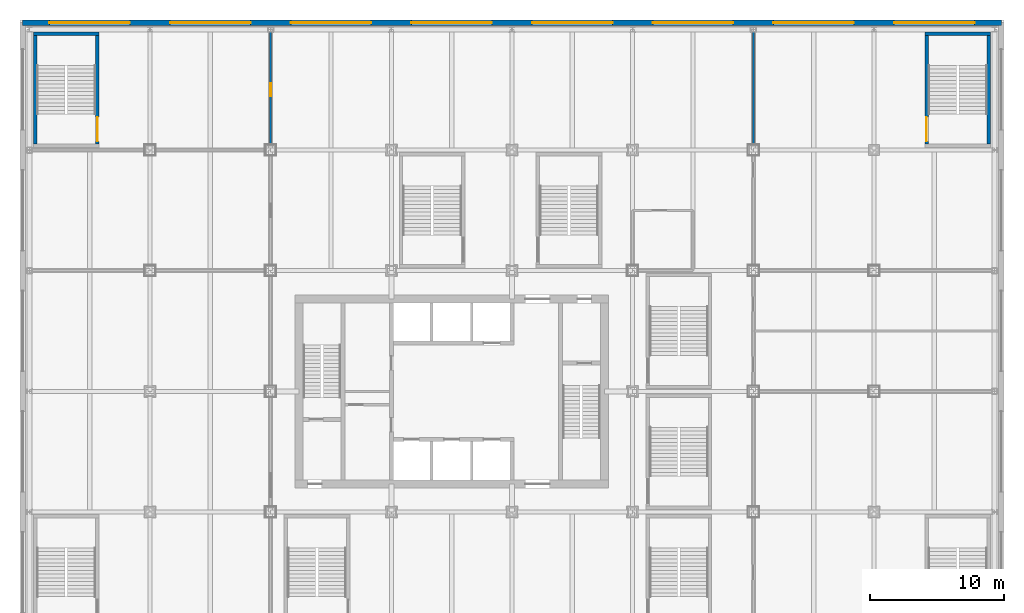
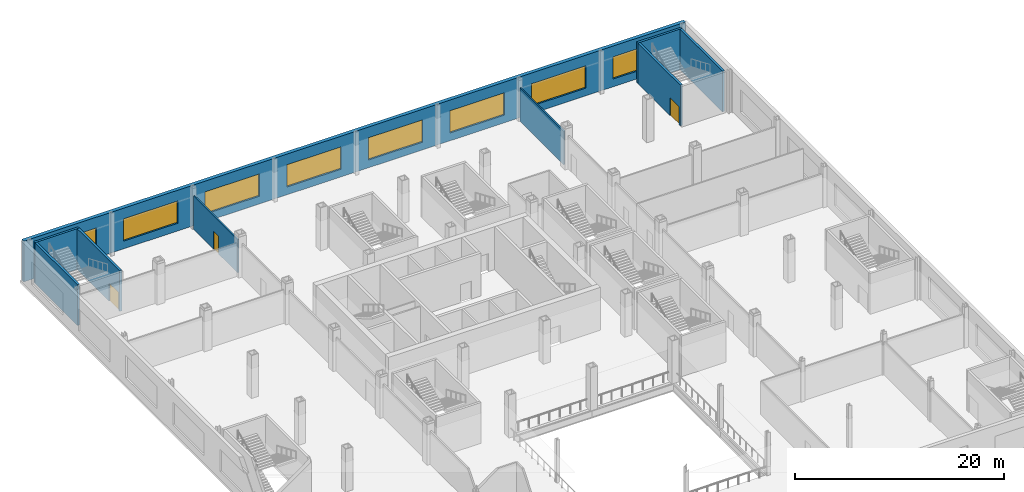
# One storey, part 15 of 31: 9 walls, 8 windows, 3 doors, 11 openings.
"""IFC4 building model written with IfcOpenShell, lengths in metres."""

from ifc_helpers import new_model, si_unit, direction, frame, frame_2d, origin, place, context, subcontext, project, spatial, rectangle, extrude, material, layer, layer_set, type_object, element, fill, save


model = new_model("IFC4")

# Units and contexts
model_context = context("Model", 3, precision=1e-05, world=origin(), true_north=direction((0.0, 1.0)))
body_context = subcontext(model_context, "Body", "Model", "MODEL_VIEW")
ifc_project = project(units=[si_unit("LENGTHUNIT", "METRE"), si_unit("AREAUNIT", "SQUARE_METRE"), si_unit("VOLUMEUNIT", "CUBIC_METRE"), si_unit("PLANEANGLEUNIT", "RADIAN"), si_unit("MASSUNIT", "GRAM", prefix="KILO")], contexts=[model_context])

# Site, building, storey
site_placement = place(None, origin())
site = spatial("IfcSite", under=ifc_project, at=site_placement, CompositionType="ELEMENT")
building_placement = place(site_placement, origin())
building = spatial("IfcBuilding", under=site, at=building_placement, Name="Loomwork Tower", CompositionType="ELEMENT")
storey_placement = place(building_placement, frame((0.0, 0.0, 11.0)))
storey = spatial("IfcBuildingStorey", under=building, at=storey_placement, Name="L02", CompositionType="ELEMENT", Elevation=11.0)

# Wall, opening, door
ifc_material_1 = material(Name="Gypsum board on steel studs, one-hour", Category="steel")
ifc_layer_1 = layer(ifc_material_1, 0.14990234375)
ifc_layer_set_1 = layer_set([ifc_layer_1], Name="Partition 150")
wall_type_1 = type_object("IfcWallType", Name="Partition 150", PredefinedType="PARTITIONING", material=ifc_layer_set_1)
wall_1_placement = place(storey_placement, frame((9.0, 44.81201171875, 0.0), z_axis=(0.0, 0.0, 1.0), x_axis=(0.0, -1.0, 0.0)))
wall_1 = element("IfcWall", 1, at=wall_1_placement, inside=storey, type_object=wall_type_1, Name="Partition L02 8.1", PredefinedType="PARTITIONING", context=body_context, shape_type="SweptSolid", body=[
    extrude(rectangle(XDim=8.412109375, YDim=0.14990234375, at=frame_2d((4.2060546875, 0.0))), origin(), (0.0, 0.0, 1.0), 3.8916015625),
])
opening_1_placement = place(wall_1_placement, frame((3.81201171875, 0.0, 0.0)))
opening_1 = element("IfcOpeningElement", 2, at=opening_1_placement, cuts=wall_1, Name="Opening D15", PredefinedType="OPENING", context=body_context, shape_type="SweptSolid", body=[
    extrude(rectangle(XDim=1.0, YDim=2.10009765625, at=frame_2d((0.5, 1.050048828125))), frame((0.0, 0.0849609375, 0.0), z_axis=(0.0, -1.0, 0.0), x_axis=(1.0, 0.0, 0.0)), (0.0, 0.0, 1.0), 0.169921875),
])
ifc_material_2 = material(Name="Hollow metal door and frame")
door_type_1 = type_object("IfcDoorType", Name="Fire-rated room door 1000", OperationType="SINGLE_SWING_LEFT", PredefinedType="DOOR", material=ifc_material_2)
door_1_placement = place(opening_1_placement, frame((1.0, 0.0, 0.0), z_axis=(0.0, 0.0, 1.0), x_axis=(-1.0, 0.0, 0.0)))
door_1 = element("IfcDoor", 3, at=door_1_placement, inside=storey, type_object=door_type_1, Name="Conference store door", OperationType="SINGLE_SWING_LEFT", OverallHeight=2.10009765625, OverallWidth=1.0, PredefinedType="DOOR", context=body_context, shape_type="SweptSolid", body=[
    extrude(rectangle(XDim=1.0, YDim=2.10009765625, at=frame_2d((0.5, 1.050048828125))), frame((0.0, 0.02490234375, 0.0), z_axis=(0.0, -1.0, 0.0), x_axis=(1.0, 0.0, 0.0)), (0.0, 0.0, 1.0), 0.050048828125),
])
fill(opening_1, door_1)

# Wall
wall_2_placement = place(storey_placement, frame((45.0, 36.39990234375, 0.0), z_axis=(0.0, 0.0, 1.0), x_axis=(0.0, 1.0, 0.0)))
element("IfcWall", 4, at=wall_2_placement, inside=storey, type_object=wall_type_1, Name="Partition L02 23.2", PredefinedType="PARTITIONING", context=body_context, shape_type="SweptSolid", body=[
    extrude(rectangle(XDim=8.412109375, YDim=0.14990234375, at=frame_2d((4.2060546875, 0.0))), origin(), (0.0, 0.0, 1.0), 3.8916015625),
])

# Wall, openings, windows
ifc_material_3 = material(Name="Limestone on concrete masonry", Category="masonry")
ifc_layer_2 = layer(ifc_material_3, 0.39990234375)
ifc_layer_set_2 = layer_set([ifc_layer_2], Name="Podium limestone wall 400")
wall_type_2 = type_object("IfcWallType", Name="Podium limestone wall 400", PredefinedType="SOLIDWALL", material=ifc_layer_set_2)
wall_3_placement = place(storey_placement, frame((63.5, 45.5, 0.0), z_axis=(0.0, 0.0, 1.0), x_axis=(-1.0, 0.0, 0.0)))
wall_3 = element("IfcWall", 5, at=wall_3_placement, inside=storey, type_object=wall_type_2, Name="Podium stone wall N", PredefinedType="SOLIDWALL", context=body_context, shape_type="SweptSolid", body=[
    extrude(rectangle(XDim=73.0, YDim=0.39990234375, at=frame_2d((36.5, 0.0))), origin(), (0.0, 0.0, 1.0), 4.75),
])
opening_2_placement = place(wall_3_placement, frame((2.0, 0.0, 0.89990234375)))
opening_2 = element("IfcOpeningElement", 6, at=opening_2_placement, cuts=wall_3, Name="Opening CH3", PredefinedType="OPENING", context=body_context, shape_type="SweptSolid", body=[
    extrude(rectangle(XDim=6.0, YDim=2.60009765625, at=frame_2d((3.0, 1.300048828125))), frame((0.0, 0.2099609375, 0.0), z_axis=(0.0, -1.0, 0.0), x_axis=(1.0, 0.0, 0.0)), (0.0, 0.0, 1.0), 0.419921875),
])
opening_3_placement = place(wall_3_placement, frame((11.0, 0.0, 0.89990234375)))
opening_3 = element("IfcOpeningElement", 7, at=opening_3_placement, cuts=wall_3, Name="Opening CH3", PredefinedType="OPENING", context=body_context, shape_type="SweptSolid", body=[
    extrude(rectangle(XDim=6.0, YDim=2.60009765625, at=frame_2d((3.0, 1.300048828125))), frame((0.0, 0.2099609375, 0.0), z_axis=(0.0, -1.0, 0.0), x_axis=(1.0, 0.0, 0.0)), (0.0, 0.0, 1.0), 0.419921875),
])
opening_4_placement = place(wall_3_placement, frame((20.0, 0.0, 0.89990234375)))
opening_4 = element("IfcOpeningElement", 8, at=opening_4_placement, cuts=wall_3, Name="Opening CH3", PredefinedType="OPENING", context=body_context, shape_type="SweptSolid", body=[
    extrude(rectangle(XDim=6.0, YDim=2.60009765625, at=frame_2d((3.0, 1.300048828125))), frame((0.0, 0.2099609375, 0.0), z_axis=(0.0, -1.0, 0.0), x_axis=(1.0, 0.0, 0.0)), (0.0, 0.0, 1.0), 0.419921875),
])
opening_5_placement = place(wall_3_placement, frame((29.0, 0.0, 0.89990234375)))
opening_5 = element("IfcOpeningElement", 9, at=opening_5_placement, cuts=wall_3, Name="Opening CH3", PredefinedType="OPENING", context=body_context, shape_type="SweptSolid", body=[
    extrude(rectangle(XDim=6.0, YDim=2.60009765625, at=frame_2d((3.0, 1.300048828125))), frame((0.0, 0.2099609375, 0.0), z_axis=(0.0, -1.0, 0.0), x_axis=(1.0, 0.0, 0.0)), (0.0, 0.0, 1.0), 0.419921875),
])
opening_6_placement = place(wall_3_placement, frame((38.0, 0.0, 0.89990234375)))
opening_6 = element("IfcOpeningElement", 10, at=opening_6_placement, cuts=wall_3, Name="Opening CH3", PredefinedType="OPENING", context=body_context, shape_type="SweptSolid", body=[
    extrude(rectangle(XDim=6.0, YDim=2.60009765625, at=frame_2d((3.0, 1.300048828125))), frame((0.0, 0.2099609375, 0.0), z_axis=(0.0, -1.0, 0.0), x_axis=(1.0, 0.0, 0.0)), (0.0, 0.0, 1.0), 0.419921875),
])
opening_7_placement = place(wall_3_placement, frame((47.0, 0.0, 0.89990234375)))
opening_7 = element("IfcOpeningElement", 11, at=opening_7_placement, cuts=wall_3, Name="Opening CH3", PredefinedType="OPENING", context=body_context, shape_type="SweptSolid", body=[
    extrude(rectangle(XDim=6.0, YDim=2.60009765625, at=frame_2d((3.0, 1.300048828125))), frame((0.0, 0.2099609375, 0.0), z_axis=(0.0, -1.0, 0.0), x_axis=(1.0, 0.0, 0.0)), (0.0, 0.0, 1.0), 0.419921875),
])
opening_8_placement = place(wall_3_placement, frame((56.0, 0.0, 0.89990234375)))
opening_8 = element("IfcOpeningElement", 12, at=opening_8_placement, cuts=wall_3, Name="Opening CH3", PredefinedType="OPENING", context=body_context, shape_type="SweptSolid", body=[
    extrude(rectangle(XDim=6.0, YDim=2.60009765625, at=frame_2d((3.0, 1.300048828125))), frame((0.0, 0.2099609375, 0.0), z_axis=(0.0, -1.0, 0.0), x_axis=(1.0, 0.0, 0.0)), (0.0, 0.0, 1.0), 0.419921875),
])
opening_9_placement = place(wall_3_placement, frame((65.0, 0.0, 0.89990234375)))
opening_9 = element("IfcOpeningElement", 13, at=opening_9_placement, cuts=wall_3, Name="Opening CH3", PredefinedType="OPENING", context=body_context, shape_type="SweptSolid", body=[
    extrude(rectangle(XDim=6.0, YDim=2.60009765625, at=frame_2d((3.0, 1.300048828125))), frame((0.0, 0.2099609375, 0.0), z_axis=(0.0, -1.0, 0.0), x_axis=(1.0, 0.0, 0.0)), (0.0, 0.0, 1.0), 0.419921875),
])
ifc_material_4 = material(Name="Aluminium frame with clear insulated glass", Category="aluminium")
window_type = type_object("IfcWindowType", Name="Podium Chicago window 6000", PartitioningType="TRIPLE_PANEL_VERTICAL", PredefinedType="WINDOW", material=ifc_material_4)
window_1_placement = place(opening_2_placement, origin())
window_1 = element("IfcWindow", 14, at=window_1_placement, inside=storey, type_object=window_type, Name="Podium window N bay 1", OverallHeight=2.60009765625, OverallWidth=6.0, PartitioningType="TRIPLE_PANEL_VERTICAL", PredefinedType="WINDOW", context=body_context, shape_type="SweptSolid", body=[
    extrude(rectangle(XDim=6.0, YDim=2.60009765625, at=frame_2d((3.0, 1.300048828125))), frame((0.0, 0.030029296875, 0.0), z_axis=(0.0, -1.0, 0.0), x_axis=(1.0, 0.0, 0.0)), (0.0, 0.0, 1.0), 0.06005859375),
])
fill(opening_2, window_1)
window_2_placement = place(opening_3_placement, origin())
window_2 = element("IfcWindow", 15, at=window_2_placement, inside=storey, type_object=window_type, Name="Podium window N bay 2", OverallHeight=2.60009765625, OverallWidth=6.0, PartitioningType="TRIPLE_PANEL_VERTICAL", PredefinedType="WINDOW", context=body_context, shape_type="SweptSolid", body=[
    extrude(rectangle(XDim=6.0, YDim=2.60009765625, at=frame_2d((3.0, 1.300048828125))), frame((0.0, 0.030029296875, 0.0), z_axis=(0.0, -1.0, 0.0), x_axis=(1.0, 0.0, 0.0)), (0.0, 0.0, 1.0), 0.06005859375),
])
fill(opening_3, window_2)
window_3_placement = place(opening_4_placement, origin())
window_3 = element("IfcWindow", 16, at=window_3_placement, inside=storey, type_object=window_type, Name="Podium window N bay 3", OverallHeight=2.60009765625, OverallWidth=6.0, PartitioningType="TRIPLE_PANEL_VERTICAL", PredefinedType="WINDOW", context=body_context, shape_type="SweptSolid", body=[
    extrude(rectangle(XDim=6.0, YDim=2.60009765625, at=frame_2d((3.0, 1.300048828125))), frame((0.0, 0.030029296875, 0.0), z_axis=(0.0, -1.0, 0.0), x_axis=(1.0, 0.0, 0.0)), (0.0, 0.0, 1.0), 0.06005859375),
])
fill(opening_4, window_3)
window_4_placement = place(opening_5_placement, origin())
window_4 = element("IfcWindow", 17, at=window_4_placement, inside=storey, type_object=window_type, Name="Podium window N bay 4", OverallHeight=2.60009765625, OverallWidth=6.0, PartitioningType="TRIPLE_PANEL_VERTICAL", PredefinedType="WINDOW", context=body_context, shape_type="SweptSolid", body=[
    extrude(rectangle(XDim=6.0, YDim=2.60009765625, at=frame_2d((3.0, 1.300048828125))), frame((0.0, 0.030029296875, 0.0), z_axis=(0.0, -1.0, 0.0), x_axis=(1.0, 0.0, 0.0)), (0.0, 0.0, 1.0), 0.06005859375),
])
fill(opening_5, window_4)
window_5_placement = place(opening_6_placement, origin())
window_5 = element("IfcWindow", 18, at=window_5_placement, inside=storey, type_object=window_type, Name="Podium window N bay 5", OverallHeight=2.60009765625, OverallWidth=6.0, PartitioningType="TRIPLE_PANEL_VERTICAL", PredefinedType="WINDOW", context=body_context, shape_type="SweptSolid", body=[
    extrude(rectangle(XDim=6.0, YDim=2.60009765625, at=frame_2d((3.0, 1.300048828125))), frame((0.0, 0.030029296875, 0.0), z_axis=(0.0, -1.0, 0.0), x_axis=(1.0, 0.0, 0.0)), (0.0, 0.0, 1.0), 0.06005859375),
])
fill(opening_6, window_5)
window_6_placement = place(opening_7_placement, origin())
window_6 = element("IfcWindow", 19, at=window_6_placement, inside=storey, type_object=window_type, Name="Podium window N bay 6", OverallHeight=2.60009765625, OverallWidth=6.0, PartitioningType="TRIPLE_PANEL_VERTICAL", PredefinedType="WINDOW", context=body_context, shape_type="SweptSolid", body=[
    extrude(rectangle(XDim=6.0, YDim=2.60009765625, at=frame_2d((3.0, 1.300048828125))), frame((0.0, 0.030029296875, 0.0), z_axis=(0.0, -1.0, 0.0), x_axis=(1.0, 0.0, 0.0)), (0.0, 0.0, 1.0), 0.06005859375),
])
fill(opening_7, window_6)
window_7_placement = place(opening_8_placement, origin())
window_7 = element("IfcWindow", 20, at=window_7_placement, inside=storey, type_object=window_type, Name="Podium window N bay 7", OverallHeight=2.60009765625, OverallWidth=6.0, PartitioningType="TRIPLE_PANEL_VERTICAL", PredefinedType="WINDOW", context=body_context, shape_type="SweptSolid", body=[
    extrude(rectangle(XDim=6.0, YDim=2.60009765625, at=frame_2d((3.0, 1.300048828125))), frame((0.0, 0.030029296875, 0.0), z_axis=(0.0, -1.0, 0.0), x_axis=(1.0, 0.0, 0.0)), (0.0, 0.0, 1.0), 0.06005859375),
])
fill(opening_8, window_7)
window_8_placement = place(opening_9_placement, origin())
window_8 = element("IfcWindow", 21, at=window_8_placement, inside=storey, type_object=window_type, Name="Podium window N bay 8", OverallHeight=2.60009765625, OverallWidth=6.0, PartitioningType="TRIPLE_PANEL_VERTICAL", PredefinedType="WINDOW", context=body_context, shape_type="SweptSolid", body=[
    extrude(rectangle(XDim=6.0, YDim=2.60009765625, at=frame_2d((3.0, 1.300048828125))), frame((0.0, 0.030029296875, 0.0), z_axis=(0.0, -1.0, 0.0), x_axis=(1.0, 0.0, 0.0)), (0.0, 0.0, 1.0), 0.06005859375),
])
fill(opening_9, window_8)

# Walls
ifc_material_5 = material(Name="Concrete masonry, two-hour", Category="masonry")
ifc_layer_3 = layer(ifc_material_5, 0.25)
ifc_layer_set_3 = layer_set([ifc_layer_3], Name="Stair enclosure wall 250")
wall_type_3 = type_object("IfcWallType", Name="Stair enclosure wall 250", PredefinedType="SOLIDWALL", material=ifc_layer_set_3)
wall_4_placement = place(storey_placement, frame((-8.699951171875, 44.675048828125, 0.0), z_axis=(0.0, 0.0, 1.0), x_axis=(1.0, 0.0, 0.0)))
element("IfcWall", 22, at=wall_4_placement, inside=storey, type_object=wall_type_3, Name="Stair PS3 enclosure wall N L02", PredefinedType="SOLIDWALL", context=body_context, shape_type="SweptSolid", body=[
    extrude(rectangle(XDim=4.89990234375, YDim=0.25, at=frame_2d((2.449951171875, 0.0))), origin(), (0.0, 0.0, 1.0), 4.75),
])
wall_5_placement = place(storey_placement, frame((-8.574951171875, 36.449951171875, 0.0), z_axis=(0.0, 0.0, 1.0), x_axis=(0.0, 1.0, 0.0)))
element("IfcWall", 23, at=wall_5_placement, inside=storey, type_object=wall_type_3, Name="Stair PS3 enclosure wall W L02", PredefinedType="SOLIDWALL", context=body_context, shape_type="SweptSolid", body=[
    extrude(rectangle(XDim=8.10009765625, YDim=0.25, at=frame_2d((4.050048828125, 0.0))), origin(), (0.0, 0.0, 1.0), 4.75),
])

# Wall, opening, door
wall_6_placement = place(storey_placement, frame((-3.925048828125, 36.449951171875, 0.0), z_axis=(0.0, 0.0, 1.0), x_axis=(0.0, 1.0, 0.0)))
wall_6 = element("IfcWall", 24, at=wall_6_placement, inside=storey, type_object=wall_type_3, Name="Stair PS3 enclosure wall E L02", PredefinedType="SOLIDWALL", context=body_context, shape_type="SweptSolid", body=[
    extrude(rectangle(XDim=8.10009765625, YDim=0.25, at=frame_2d((4.050048828125, 0.0))), origin(), (0.0, 0.0, 1.0), 4.75),
])
opening_10_placement = place(wall_6_placement, frame((0.199951171875, 0.0, 0.0)))
opening_10 = element("IfcOpeningElement", 25, at=opening_10_placement, cuts=wall_6, Name="Opening D14", PredefinedType="OPENING", context=body_context, shape_type="SweptSolid", body=[
    extrude(rectangle(XDim=1.800048828125, YDim=2.10009765625, at=frame_2d((0.89990234375, 1.050048828125))), frame((0.0, 0.135009765625, 0.0), z_axis=(0.0, -1.0, 0.0), x_axis=(1.0, 0.0, 0.0)), (0.0, 0.0, 1.0), 0.27001953125),
])
ifc_material_6 = material(Name="Hollow metal door and frame")
door_type_2 = type_object("IfcDoorType", Name="Stair double door 1800", OperationType="DOUBLE_DOOR_SINGLE_SWING", PredefinedType="DOOR", material=ifc_material_6)
door_2_placement = place(opening_10_placement, origin())
door_2 = element("IfcDoor", 26, at=door_2_placement, inside=storey, type_object=door_type_2, Name="Stair PS3 door L02", OperationType="DOUBLE_DOOR_SINGLE_SWING", OverallHeight=2.10009765625, OverallWidth=1.800048828125, PredefinedType="DOOR", context=body_context, shape_type="SweptSolid", body=[
    extrude(rectangle(XDim=1.800048828125, YDim=2.10009765625, at=frame_2d((0.89990234375, 1.050048828125))), frame((0.0, 0.02490234375, 0.0), z_axis=(0.0, -1.0, 0.0), x_axis=(1.0, 0.0, 0.0)), (0.0, 0.0, 1.0), 0.050048828125),
])
fill(opening_10, door_2)

# Wall
wall_7_placement = place(storey_placement, frame((57.800048828125, 44.675048828125, 0.0), z_axis=(0.0, 0.0, 1.0), x_axis=(1.0, 0.0, 0.0)))
element("IfcWall", 27, at=wall_7_placement, inside=storey, type_object=wall_type_3, Name="Stair PS4 enclosure wall N L02", PredefinedType="SOLIDWALL", context=body_context, shape_type="SweptSolid", body=[
    extrude(rectangle(XDim=4.89990234375, YDim=0.25, at=frame_2d((2.449951171875, 0.0))), origin(), (0.0, 0.0, 1.0), 4.75),
])

# Wall, opening, door
wall_8_placement = place(storey_placement, frame((57.925048828125, 36.449951171875, 0.0), z_axis=(0.0, 0.0, 1.0), x_axis=(0.0, 1.0, 0.0)))
wall_8 = element("IfcWall", 28, at=wall_8_placement, inside=storey, type_object=wall_type_3, Name="Stair PS4 enclosure wall W L02", PredefinedType="SOLIDWALL", context=body_context, shape_type="SweptSolid", body=[
    extrude(rectangle(XDim=8.10009765625, YDim=0.25, at=frame_2d((4.050048828125, 0.0))), origin(), (0.0, 0.0, 1.0), 4.75),
])
opening_11_placement = place(wall_8_placement, frame((0.199951171875, 0.0, 0.0)))
opening_11 = element("IfcOpeningElement", 29, at=opening_11_placement, cuts=wall_8, Name="Opening D14", PredefinedType="OPENING", context=body_context, shape_type="SweptSolid", body=[
    extrude(rectangle(XDim=1.800048828125, YDim=2.10009765625, at=frame_2d((0.89990234375, 1.050048828125))), frame((0.0, 0.135009765625, 0.0), z_axis=(0.0, -1.0, 0.0), x_axis=(1.0, 0.0, 0.0)), (0.0, 0.0, 1.0), 0.27001953125),
])
door_3_placement = place(opening_11_placement, frame((1.800048828125, 0.0, 0.0), z_axis=(0.0, 0.0, 1.0), x_axis=(-1.0, 0.0, 0.0)))
door_3 = element("IfcDoor", 30, at=door_3_placement, inside=storey, type_object=door_type_2, Name="Stair PS4 door L02", OperationType="DOUBLE_DOOR_SINGLE_SWING", OverallHeight=2.10009765625, OverallWidth=1.800048828125, PredefinedType="DOOR", context=body_context, shape_type="SweptSolid", body=[
    extrude(rectangle(XDim=1.800048828125, YDim=2.10009765625, at=frame_2d((0.89990234375, 1.050048828125))), frame((0.0, 0.02490234375, 0.0), z_axis=(0.0, -1.0, 0.0), x_axis=(1.0, 0.0, 0.0)), (0.0, 0.0, 1.0), 0.050048828125),
])
fill(opening_11, door_3)

# Wall
wall_9_placement = place(storey_placement, frame((62.574951171875, 36.449951171875, 0.0), z_axis=(0.0, 0.0, 1.0), x_axis=(0.0, 1.0, 0.0)))
element("IfcWall", 31, at=wall_9_placement, inside=storey, type_object=wall_type_3, Name="Stair PS4 enclosure wall E L02", PredefinedType="SOLIDWALL", context=body_context, shape_type="SweptSolid", body=[
    extrude(rectangle(XDim=8.10009765625, YDim=0.25, at=frame_2d((4.050048828125, 0.0))), origin(), (0.0, 0.0, 1.0), 4.75),
])

save(model, "model.ifc")
